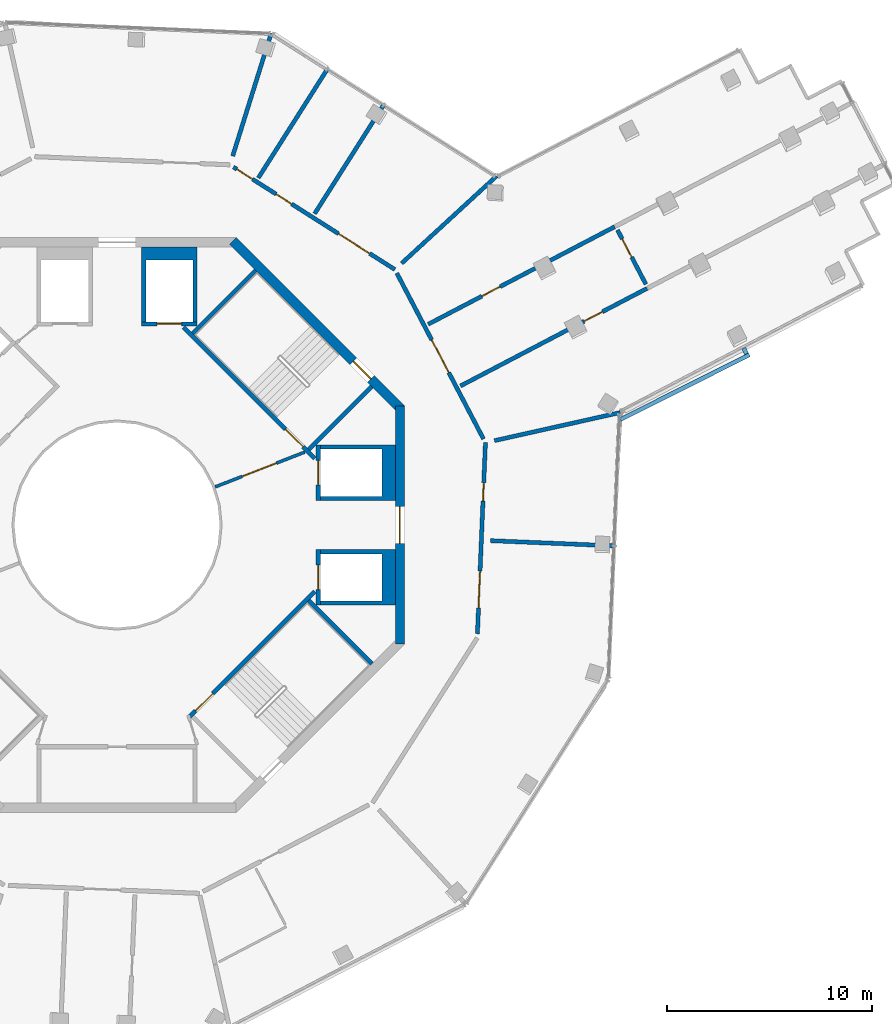
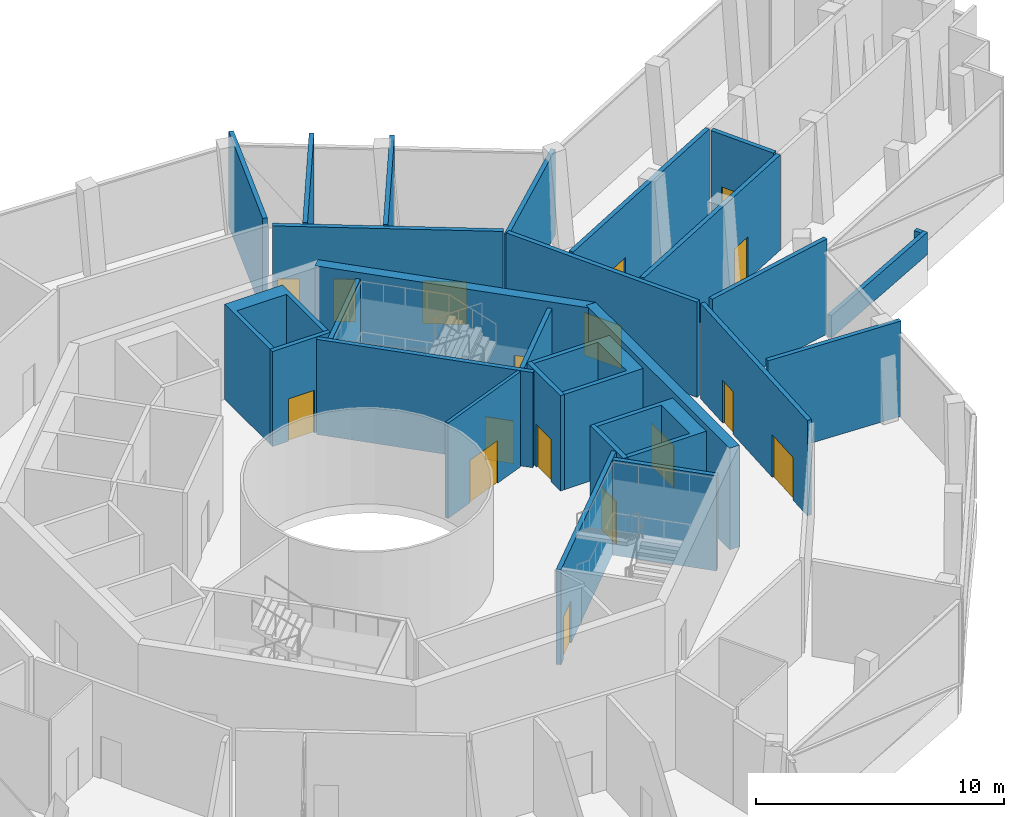
# One storey, part 14 of 21: 28 walls, 17 doors, 17 openings.
"""IFC4 building model written with IfcOpenShell, lengths in metres."""

from ifc_helpers import new_model, si_unit, direction, frame, frame_2d, origin, place, context, subcontext, project, spatial, polyline, rectangle, outline, extrude, material, layer, layer_set, type_object, element, fill, save


model = new_model("IFC4")

# Units and contexts
model_context = context("Model", 3, precision=1e-05, world=origin(), true_north=direction((0.0, 1.0)))
body_context = subcontext(model_context, "Body", "Model", "MODEL_VIEW")
ifc_project = project(units=[si_unit("LENGTHUNIT", "METRE"), si_unit("AREAUNIT", "SQUARE_METRE"), si_unit("VOLUMEUNIT", "CUBIC_METRE"), si_unit("PLANEANGLEUNIT", "RADIAN"), si_unit("MASSUNIT", "GRAM", prefix="KILO")], contexts=[model_context])

# Site, building, storey
site_placement = place(None, origin())
site = spatial("IfcSite", under=ifc_project, at=site_placement, CompositionType="ELEMENT")
building_placement = place(site_placement, origin())
building = spatial("IfcBuilding", under=site, at=building_placement, Name="Verdalira Terraces Hotel", CompositionType="ELEMENT")
storey_placement = place(building_placement, frame((0.0, 0.0, 269.0)))
storey = spatial("IfcBuildingStorey", under=building, at=storey_placement, Name="L66", CompositionType="ELEMENT", Elevation=269.0)

# Wall
ifc_material_1 = material(Name="Concrete C50", Category="concrete")
ifc_layer_1 = layer(ifc_material_1, 0.199951171875)
ifc_layer_set_1 = layer_set([ifc_layer_1], Name="Core RC wall 200 C50")
wall_type_1 = type_object("IfcWallType", Name="Core RC wall 200 C50", PredefinedType="SOLIDWALL", material=ifc_layer_set_1)
wall_1_placement = place(storey_placement, origin())
element("IfcWall", 1, at=wall_1_placement, inside=storey, type_object=wall_type_1, Name="L66 shaft wall E1", PredefinedType="SOLIDWALL", context=body_context, shape_type="SweptSolid", body=[
    extrude(outline(polyline([(13.550049, -3.899902), (9.899902, -3.899902), (9.899902, -3.699951), (12.899902, -3.699951), (12.899902, -1.399902), (9.899902, -1.399902), (9.899902, -1.199951), (13.550049, -1.199951), (13.550049, -3.899902)])), origin(), (0.0, 0.0, 1.0), 4.689941),
])

# Wall, opening, door
wall_2_placement = place(storey_placement, frame((9.800049, -1.199951, 0.0), z_axis=(0.0, 0.0, 1.0), x_axis=(0.0, -1.0, 0.0)))
wall_2 = element("IfcWall", 2, at=wall_2_placement, inside=storey, type_object=wall_type_1, Name="L66 shaft front wall E1", PredefinedType="SOLIDWALL", context=body_context, shape_type="SweptSolid", body=[
    extrude(rectangle(XDim=2.699951, YDim=0.199951, at=frame_2d((1.350098, 0.0))), origin(), (0.0, 0.0, 1.0), 4.689941),
])
opening_1_placement = place(wall_2_placement, frame((0.75, 0.0, 0.0)))
opening_1 = element("IfcOpeningElement", 3, at=opening_1_placement, cuts=wall_2, Name="Opening LD-L66-802", PredefinedType="OPENING", context=body_context, shape_type="SweptSolid", body=[
    extrude(rectangle(XDim=1.199951, YDim=2.100098, at=frame_2d((0.600098, 1.050049))), frame((0.0, 0.109863, 0.0), z_axis=(0.0, -1.0, 0.0), x_axis=(1.0, 0.0, 0.0)), (0.0, 0.0, 1.0), 0.219971),
])
ifc_material_2 = material(Name="Stainless steel", Category="steel")
door_type_1 = type_object("IfcDoorType", Name="Landing door 1200 x 2100", OperationType="NOTDEFINED", PredefinedType="DOOR", material=ifc_material_2)
door_1_placement = place(opening_1_placement, origin())
door_1 = element("IfcDoor", 4, at=door_1_placement, inside=storey, type_object=door_type_1, Name="Lift landing door HR1 L66", OperationType="DOUBLE_DOOR_SLIDING", OverallHeight=2.10009765625, OverallWidth=1.199951171875, PredefinedType="DOOR", context=body_context, shape_type="SweptSolid", body=[
    extrude(rectangle(XDim=1.199951, YDim=2.100098, at=frame_2d((0.600098, 1.050049))), frame((0.0, 0.024902, 0.0), z_axis=(0.0, -1.0, 0.0), x_axis=(1.0, 0.0, 0.0)), (0.0, 0.0, 1.0), 0.050049),
])
fill(opening_1, door_1)

# Wall
wall_3_placement = place(storey_placement, origin())
element("IfcWall", 5, at=wall_3_placement, inside=storey, type_object=wall_type_1, Name="L66 shaft wall E2", PredefinedType="SOLIDWALL", context=body_context, shape_type="SweptSolid", body=[
    extrude(outline(polyline([(13.550049, 3.899902), (13.550049, 1.199951), (9.899902, 1.199951), (9.899902, 1.399902), (12.899902, 1.399902), (12.899902, 3.699951), (9.899902, 3.699951), (9.899902, 3.899902), (13.550049, 3.899902)])), origin(), (0.0, 0.0, 1.0), 4.689941),
])

# Wall, opening, door
wall_4_placement = place(storey_placement, frame((9.800049, 1.199951, 0.0), z_axis=(0.0, 0.0, 1.0), x_axis=(0.0, 1.0, 0.0)))
wall_4 = element("IfcWall", 6, at=wall_4_placement, inside=storey, type_object=wall_type_1, Name="L66 shaft front wall E2", PredefinedType="SOLIDWALL", context=body_context, shape_type="SweptSolid", body=[
    extrude(rectangle(XDim=2.699951, YDim=0.199951, at=frame_2d((1.350098, 0.0))), origin(), (0.0, 0.0, 1.0), 4.689941),
])
opening_2_placement = place(wall_4_placement, frame((0.75, 0.0, 0.0)))
opening_2 = element("IfcOpeningElement", 7, at=opening_2_placement, cuts=wall_4, Name="Opening LD-L66-803", PredefinedType="OPENING", context=body_context, shape_type="SweptSolid", body=[
    extrude(rectangle(XDim=1.199951, YDim=2.100098, at=frame_2d((0.600098, 1.050049))), frame((0.0, 0.109863, 0.0), z_axis=(0.0, -1.0, 0.0), x_axis=(1.0, 0.0, 0.0)), (0.0, 0.0, 1.0), 0.219971),
])
door_2_placement = place(opening_2_placement, origin())
door_2 = element("IfcDoor", 8, at=door_2_placement, inside=storey, type_object=door_type_1, Name="Lift landing door HR2 L66", OperationType="DOUBLE_DOOR_SLIDING", OverallHeight=2.10009765625, OverallWidth=1.199951171875, PredefinedType="DOOR", context=body_context, shape_type="SweptSolid", body=[
    extrude(rectangle(XDim=1.199951, YDim=2.100098, at=frame_2d((0.600098, 1.050049))), frame((0.0, 0.024902, 0.0), z_axis=(0.0, -1.0, 0.0), x_axis=(1.0, 0.0, 0.0)), (0.0, 0.0, 1.0), 0.050049),
])
fill(opening_2, door_2)

# Wall
wall_5_placement = place(storey_placement, origin())
element("IfcWall", 9, at=wall_5_placement, inside=storey, type_object=wall_type_1, Name="L66 shaft wall N1", PredefinedType="SOLIDWALL", context=body_context, shape_type="SweptSolid", body=[
    extrude(outline(polyline([(3.899902, 9.899902), (3.699951, 9.899902), (3.699951, 12.899902), (1.399902, 12.899902), (1.399902, 9.899902), (1.199951, 9.899902), (1.199951, 13.550049), (3.899902, 13.550049), (3.899902, 9.899902)])), origin(), (0.0, 0.0, 1.0), 4.689941),
])

# Wall, opening, door
wall_6_placement = place(storey_placement, frame((1.199951, 9.800049, 0.0), z_axis=(0.0, 0.0, 1.0), x_axis=(1.0, 0.0, 0.0)))
wall_6 = element("IfcWall", 10, at=wall_6_placement, inside=storey, type_object=wall_type_1, Name="L66 shaft front wall N1", PredefinedType="SOLIDWALL", context=body_context, shape_type="SweptSolid", body=[
    extrude(rectangle(XDim=2.699951, YDim=0.199951, at=frame_2d((1.350098, 0.0))), origin(), (0.0, 0.0, 1.0), 4.689941),
])
opening_3_placement = place(wall_6_placement, frame((0.75, 0.0, 0.0)))
opening_3 = element("IfcOpeningElement", 11, at=opening_3_placement, cuts=wall_6, Name="Opening LD-L66-804", PredefinedType="OPENING", context=body_context, shape_type="SweptSolid", body=[
    extrude(rectangle(XDim=1.199951, YDim=2.100098, at=frame_2d((0.600098, 1.050049))), frame((0.0, 0.109863, 0.0), z_axis=(0.0, -1.0, 0.0), x_axis=(1.0, 0.0, 0.0)), (0.0, 0.0, 1.0), 0.219971),
])
door_3_placement = place(opening_3_placement, origin())
door_3 = element("IfcDoor", 12, at=door_3_placement, inside=storey, type_object=door_type_1, Name="Lift landing door HR3 L66", OperationType="DOUBLE_DOOR_SLIDING", OverallHeight=2.10009765625, OverallWidth=1.199951171875, PredefinedType="DOOR", context=body_context, shape_type="SweptSolid", body=[
    extrude(rectangle(XDim=1.199951, YDim=2.100098, at=frame_2d((0.600098, 1.050049))), frame((0.0, 0.024902, 0.0), z_axis=(0.0, -1.0, 0.0), x_axis=(1.0, 0.0, 0.0)), (0.0, 0.0, 1.0), 0.050049),
])
fill(opening_3, door_3)

wall_7_placement = place(storey_placement, frame((3.23999, 9.629395, 0.0), z_axis=(0.0, 0.0, 1.0), x_axis=(0.707106781, -0.707106781, 0.0)))
wall_7 = element("IfcWall", 13, at=wall_7_placement, inside=storey, type_object=wall_type_1, Name="L66 stair ST1 front wall", PredefinedType="SOLIDWALL", context=body_context, shape_type="SweptSolid", body=[
    extrude(rectangle(XDim=9.035889, YDim=0.199951, at=frame_2d((4.518066, 0.0))), origin(), (0.0, 0.0, 1.0), 4.689941),
])
opening_4_placement = place(wall_7_placement, frame((7.017822, 0.0, 0.0)))
opening_4 = element("IfcOpeningElement", 14, at=opening_4_placement, cuts=wall_7, Name="Opening L66-810", PredefinedType="OPENING", context=body_context, shape_type="SweptSolid", body=[
    extrude(rectangle(XDim=1.199951, YDim=2.100098, at=frame_2d((0.600098, 1.050049))), frame((0.0, 0.109863, 0.0), z_axis=(0.0, -1.0, 0.0), x_axis=(1.0, 0.0, 0.0)), (0.0, 0.0, 1.0), 0.219971),
])
ifc_material_3 = material(Name="Steel fire door", Category="steel")
door_type_2 = type_object("IfcDoorType", Name="Stair door 1200 x 2100", OperationType="NOTDEFINED", PredefinedType="DOOR", material=ifc_material_3)
door_4_placement = place(opening_4_placement, origin())
door_4 = element("IfcDoor", 15, at=door_4_placement, inside=storey, type_object=door_type_2, Name="Stair door ST1 L66", OperationType="SINGLE_SWING_RIGHT", OverallHeight=2.10009765625, OverallWidth=1.199951171875, PredefinedType="DOOR", context=body_context, shape_type="SweptSolid", body=[
    extrude(rectangle(XDim=1.199951, YDim=2.100098, at=frame_2d((0.600098, 1.050049))), frame((0.0, 0.024902, 0.0), z_axis=(0.0, -1.0, 0.0), x_axis=(1.0, 0.0, 0.0)), (0.0, 0.0, 1.0), 0.050049),
])
fill(opening_4, door_4)

# Walls
for number, where, z_axis, x_axis, name in (
    (16, (9.33374, 3.677002, 0.0), (0.0, 0.0, 1.0), (0.707106781, 0.707106781, 0.0), "L66 stair ST1 end wall 1"),
    (17, (3.677002, 9.33374, 0.0), (0.0, 0.0, 1.0), (0.707106781, 0.707106781, 0.0), "L66 stair ST1 end wall 2"),
):
    element("IfcWall", number, at=place(storey_placement, frame(where, z_axis=z_axis, x_axis=x_axis)), inside=storey, type_object=wall_type_1, Name=name, PredefinedType="SOLIDWALL", context=body_context, shape_type="SweptSolid", body=[
        extrude(rectangle(XDim=4.350098, YDim=0.199951, at=frame_2d((2.175049, 0.0))), origin(), (0.0, 0.0, 1.0), 4.689941),
    ])

# Wall, opening, door
wall_8_placement = place(storey_placement, frame((9.629395, -3.23999, 0.0), z_axis=(0.0, 0.0, 1.0), x_axis=(-0.707120946, -0.707092617, 0.0)))
wall_8 = element("IfcWall", 18, at=wall_8_placement, inside=storey, type_object=wall_type_1, Name="L66 stair ST3 front wall", PredefinedType="SOLIDWALL", context=body_context, shape_type="SweptSolid", body=[
    extrude(rectangle(XDim=8.61792, YDim=0.199951, at=frame_2d((4.309082, 0.0))), origin(), (0.0, 0.0, 1.0), 4.689941),
])
opening_5_placement = place(wall_8_placement, frame((7.017822, 0.0, 0.0)))
opening_5 = element("IfcOpeningElement", 19, at=opening_5_placement, cuts=wall_8, Name="Opening L66-812", PredefinedType="OPENING", context=body_context, shape_type="SweptSolid", body=[
    extrude(rectangle(XDim=1.199951, YDim=2.100098, at=frame_2d((0.600098, 1.050049))), frame((0.0, 0.109863, 0.0), z_axis=(0.0, -1.0, 0.0), x_axis=(1.0, 0.0, 0.0)), (0.0, 0.0, 1.0), 0.219971),
])
door_5_placement = place(opening_5_placement, origin())
door_5 = element("IfcDoor", 20, at=door_5_placement, inside=storey, type_object=door_type_2, Name="Stair door ST3 L66", OperationType="SINGLE_SWING_RIGHT", OverallHeight=2.10009765625, OverallWidth=1.199951171875, PredefinedType="DOOR", context=body_context, shape_type="SweptSolid", body=[
    extrude(rectangle(XDim=1.199951, YDim=2.100098, at=frame_2d((0.600098, 1.050049))), frame((0.0, 0.024902, 0.0), z_axis=(0.0, -1.0, 0.0), x_axis=(1.0, 0.0, 0.0)), (0.0, 0.0, 1.0), 0.050049),
])
fill(opening_5, door_5)

# Wall
wall_9_placement = place(storey_placement, frame((9.33374, -3.677002, 0.0), z_axis=(0.0, 0.0, 1.0), x_axis=(0.707106781, -0.707106781, 0.0)))
element("IfcWall", 21, at=wall_9_placement, inside=storey, type_object=wall_type_1, Name="L66 stair ST3 end wall 2", PredefinedType="SOLIDWALL", context=body_context, shape_type="SweptSolid", body=[
    extrude(rectangle(XDim=4.350098, YDim=0.199951, at=frame_2d((2.175049, 0.0))), origin(), (0.0, 0.0, 1.0), 4.689941),
])

# Wall, opening, door
ifc_material_4 = material(Name="Gypsum board partition")
ifc_layer_2 = layer(ifc_material_4, 0.14990234375)
ifc_layer_set_2 = layer_set([ifc_layer_2], Name="Core partition 150 mm")
wall_type_2 = type_object("IfcWallType", Name="Core partition 150 mm", PredefinedType="PARTITIONING", material=ifc_layer_set_2)
wall_10_placement = place(storey_placement, frame((4.781982, 1.857178, 0.0), z_axis=(0.0, 0.0, 1.0), x_axis=(0.932167228, 0.36202798, 0.0)))
wall_10 = element("IfcWall", 22, at=wall_10_placement, inside=storey, type_object=wall_type_2, Name="Gallery fire partition L66", PredefinedType="PARTITIONING", context=body_context, shape_type="SweptSolid", body=[
    extrude(rectangle(XDim=4.676025, YDim=0.149902, at=frame_2d((2.337891, 0.0))), origin(), (0.0, 0.0, 1.0), 4.689941),
])
opening_6_placement = place(wall_10_placement, frame((1.399902, 0.0, 0.0)))
opening_6 = element("IfcOpeningElement", 23, at=opening_6_placement, cuts=wall_10, Name="Opening L66-824", PredefinedType="OPENING", context=body_context, shape_type="SweptSolid", body=[
    extrude(rectangle(XDim=1.800049, YDim=2.100098, at=frame_2d((0.899902, 1.050049))), frame((0.0, 0.084961, 0.0), z_axis=(0.0, -1.0, 0.0), x_axis=(1.0, 0.0, 0.0)), (0.0, 0.0, 1.0), 0.169922),
])
ifc_material_5 = material(Name="Steel fire door", Category="steel")
door_type_3 = type_object("IfcDoorType", Name="Gallery fire door pair 1800 x 2100", OperationType="NOTDEFINED", PredefinedType="DOOR", material=ifc_material_5)
door_6_placement = place(opening_6_placement, origin())
door_6 = element("IfcDoor", 24, at=door_6_placement, inside=storey, type_object=door_type_3, Name="Door L66 split0", OperationType="DOUBLE_DOOR_SINGLE_SWING", OverallHeight=2.10009765625, OverallWidth=1.800048828125, PredefinedType="DOOR", context=body_context, shape_type="SweptSolid", body=[
    extrude(rectangle(XDim=1.800049, YDim=2.100098, at=frame_2d((0.899902, 1.050049))), frame((0.0, 0.024902, 0.0), z_axis=(0.0, -1.0, 0.0), x_axis=(1.0, 0.0, 0.0)), (0.0, 0.0, 1.0), 0.050049),
])
fill(opening_6, door_6)

ifc_material_6 = material(Name="Concrete C50", Category="concrete")
ifc_layer_3 = layer(ifc_material_6, 0.449951171875)
ifc_layer_set_3 = layer_set([ifc_layer_3], Name="Core wall 450 C50")
wall_type_3 = type_object("IfcWallType", Name="Core wall 450 C50", PredefinedType="SHEAR", material=ifc_layer_set_3)
wall_11_placement = place(storey_placement, frame((13.774902, -5.799072, 0.0), z_axis=(0.0, 0.0, 1.0), x_axis=(0.0, 1.0, 0.0)))
wall_11 = element("IfcWall", 25, at=wall_11_placement, inside=storey, type_object=wall_type_3, Name="Core wall CW-L66-1", PredefinedType="SHEAR", context=body_context, shape_type="SweptSolid", body=[
    extrude(rectangle(XDim=11.598145, YDim=0.449951, at=frame_2d((5.799072, 0.0))), origin(), (0.0, 0.0, 1.0), 5.0),
])
opening_7_placement = place(wall_11_placement, frame((4.898926, 0.0, 0.0)))
opening_7 = element("IfcOpeningElement", 26, at=opening_7_placement, cuts=wall_11, Name="Opening L66-813", PredefinedType="OPENING", context=body_context, shape_type="SweptSolid", body=[
    extrude(rectangle(XDim=1.800049, YDim=2.100098, at=frame_2d((0.899902, 1.050049))), frame((0.0, 0.234863, 0.0), z_axis=(0.0, -1.0, 0.0), x_axis=(1.0, 0.0, 0.0)), (0.0, 0.0, 1.0), 0.469971),
])
ifc_material_7 = material(Name="Steel fire door", Category="steel")
door_type_4 = type_object("IfcDoorType", Name="Core entry door pair 1800 x 2100", OperationType="NOTDEFINED", PredefinedType="DOOR", material=ifc_material_7)
door_7_placement = place(opening_7_placement, origin())
door_7 = element("IfcDoor", 27, at=door_7_placement, inside=storey, type_object=door_type_4, Name="Core entry door L66 0", OperationType="DOUBLE_DOOR_SINGLE_SWING", OverallHeight=2.10009765625, OverallWidth=1.800048828125, PredefinedType="DOOR", context=body_context, shape_type="SweptSolid", body=[
    extrude(rectangle(XDim=1.800049, YDim=2.100098, at=frame_2d((0.899902, 1.050049))), frame((0.0, 0.024902, 0.0), z_axis=(0.0, -1.0, 0.0), x_axis=(1.0, 0.0, 0.0)), (0.0, 0.0, 1.0), 0.050049),
])
fill(opening_7, door_7)

wall_12_placement = place(storey_placement, frame((13.84082, 5.639893, 0.0), z_axis=(0.0, 0.0, 1.0), x_axis=(-0.707106781, 0.707106781, 0.0)))
wall_12 = element("IfcWall", 28, at=wall_12_placement, inside=storey, type_object=wall_type_3, Name="Core wall CW-L66-2", PredefinedType="SHEAR", context=body_context, shape_type="SweptSolid", body=[
    extrude(rectangle(XDim=11.5979, YDim=0.449951, at=frame_2d((5.798828, 0.0))), origin(), (0.0, 0.0, 1.0), 5.0),
])
opening_8_placement = place(wall_12_placement, frame((2.099121, 0.0, 0.0)))
opening_8 = element("IfcOpeningElement", 29, at=opening_8_placement, cuts=wall_12, Name="Opening L66-816", PredefinedType="OPENING", context=body_context, shape_type="SweptSolid", body=[
    extrude(rectangle(XDim=1.199951, YDim=2.100098, at=frame_2d((0.600098, 1.050049))), frame((0.0, 0.234863, 0.0), z_axis=(0.0, -1.0, 0.0), x_axis=(1.0, 0.0, 0.0)), (0.0, 0.0, 1.0), 0.469971),
])
door_8_placement = place(opening_8_placement, origin())
door_8 = element("IfcDoor", 30, at=door_8_placement, inside=storey, type_object=door_type_2, Name="Stair exit door ST1 L66", OperationType="SINGLE_SWING_LEFT", OverallHeight=2.10009765625, OverallWidth=1.199951171875, PredefinedType="DOOR", context=body_context, shape_type="SweptSolid", body=[
    extrude(rectangle(XDim=1.199951, YDim=2.100098, at=frame_2d((0.600098, 1.050049))), frame((0.0, 0.024902, 0.0), z_axis=(0.0, -1.0, 0.0), x_axis=(1.0, 0.0, 0.0)), (0.0, 0.0, 1.0), 0.050049),
])
fill(opening_8, door_8)

ifc_material_8 = material(Name="Fire-rated gypsum board wall")
ifc_layer_4 = layer(ifc_material_8, 0.199951171875)
ifc_layer_set_4 = layer_set([ifc_layer_4], Name="Demising wall 200 mm")
wall_type_4 = type_object("IfcWallType", Name="Demising wall 200 mm", PredefinedType="SOLIDWALL", material=ifc_layer_set_4)
wall_13_placement = place(storey_placement, frame((15.152588, 9.777832, 0.0), z_axis=(0.0, 0.0, 1.0), x_axis=(0.886198556, 0.463305643, 0.0)))
wall_13 = element("IfcWall", 31, at=wall_13_placement, inside=storey, type_object=wall_type_4, Name="Demising wall", PredefinedType="SOLIDWALL", context=body_context, shape_type="SweptSolid", body=[
    extrude(rectangle(XDim=10.251953, YDim=0.199951, at=frame_2d((5.125977, 0.0))), origin(), (0.0, 0.0, 1.0), 4.689941),
])
opening_9_placement = place(wall_13_placement, frame((2.949951, 0.0, 0.0)))
opening_9 = element("IfcOpeningElement", 32, at=opening_9_placement, cuts=wall_13, Name="Opening L66-120", PredefinedType="OPENING", context=body_context, shape_type="SweptSolid", body=[
    extrude(rectangle(XDim=1.0, YDim=2.100098, at=frame_2d((0.5, 1.050049))), frame((0.0, 0.109863, 0.0), z_axis=(0.0, -1.0, 0.0), x_axis=(1.0, 0.0, 0.0)), (0.0, 0.0, 1.0), 0.219971),
])
ifc_material_9 = material(Name="Timber fire door", Category="wood")
door_type_5 = type_object("IfcDoorType", Name="Public room door 1000 x 2100", OperationType="NOTDEFINED", PredefinedType="DOOR", material=ifc_material_9)
door_9_placement = place(opening_9_placement, origin())
door_9 = element("IfcDoor", 33, at=door_9_placement, inside=storey, type_object=door_type_5, Name="Public room door 6609", OperationType="SINGLE_SWING_LEFT", OverallHeight=2.10009765625, OverallWidth=1.0, PredefinedType="DOOR", context=body_context, shape_type="SweptSolid", body=[
    extrude(rectangle(XDim=1.0, YDim=2.100098, at=frame_2d((0.5, 1.050049))), frame((0.0, 0.024902, 0.0), z_axis=(0.0, -1.0, 0.0), x_axis=(1.0, 0.0, 0.0)), (0.0, 0.0, 1.0), 0.050049),
])
fill(opening_9, door_9)

wall_14_placement = place(storey_placement, frame((25.809082, 11.522217, 0.0), z_axis=(0.0, 0.0, 1.0), x_axis=(-0.886198556, -0.463305643, 0.0)))
wall_14 = element("IfcWall", 34, at=wall_14_placement, inside=storey, type_object=wall_type_4, Name="Demising wall", PredefinedType="SOLIDWALL", context=body_context, shape_type="SweptSolid", body=[
    extrude(rectangle(XDim=10.251953, YDim=0.199951, at=frame_2d((5.125977, 0.0))), origin(), (0.0, 0.0, 1.0), 4.689941),
])
opening_10_placement = place(wall_14_placement, frame((2.449951, 0.0, 0.0)))
opening_10 = element("IfcOpeningElement", 35, at=opening_10_placement, cuts=wall_14, Name="Opening L66-119", PredefinedType="OPENING", context=body_context, shape_type="SweptSolid", body=[
    extrude(rectangle(XDim=1.0, YDim=2.100098, at=frame_2d((0.5, 1.050049))), frame((0.0, 0.109863, 0.0), z_axis=(0.0, -1.0, 0.0), x_axis=(1.0, 0.0, 0.0)), (0.0, 0.0, 1.0), 0.219971),
])
door_10_placement = place(opening_10_placement, origin())
door_10 = element("IfcDoor", 36, at=door_10_placement, inside=storey, type_object=door_type_5, Name="Public room door 6609", OperationType="SINGLE_SWING_LEFT", OverallHeight=2.10009765625, OverallWidth=1.0, PredefinedType="DOOR", context=body_context, shape_type="SweptSolid", body=[
    extrude(rectangle(XDim=1.0, YDim=2.100098, at=frame_2d((0.5, 1.050049))), frame((0.0, 0.024902, 0.0), z_axis=(0.0, -1.0, 0.0), x_axis=(1.0, 0.0, 0.0)), (0.0, 0.0, 1.0), 0.050049),
])
fill(opening_10, door_10)

wall_15_placement = place(storey_placement, frame((24.373047, 14.372559, 0.0), z_axis=(0.0, 0.0, 1.0), x_axis=(0.463332877, -0.886184318, 0.0)))
wall_15 = element("IfcWall", 37, at=wall_15_placement, inside=storey, type_object=wall_type_4, Name="Demising wall", PredefinedType="SOLIDWALL", context=body_context, shape_type="SweptSolid", body=[
    extrude(rectangle(XDim=2.991455, YDim=0.199951, at=frame_2d((1.495605, 0.0))), origin(), (0.0, 0.0, 1.0), 4.689941),
])
opening_11_placement = place(wall_15_placement, frame((0.5, 0.0, 0.0)))
opening_11 = element("IfcOpeningElement", 38, at=opening_11_placement, cuts=wall_15, Name="Opening L66-121", PredefinedType="OPENING", context=body_context, shape_type="SweptSolid", body=[
    extrude(rectangle(XDim=1.0, YDim=2.100098, at=frame_2d((0.5, 1.050049))), frame((0.0, 0.109863, 0.0), z_axis=(0.0, -1.0, 0.0), x_axis=(1.0, 0.0, 0.0)), (0.0, 0.0, 1.0), 0.219971),
])
door_11_placement = place(opening_11_placement, origin())
door_11 = element("IfcDoor", 39, at=door_11_placement, inside=storey, type_object=door_type_5, Name="Public room door 6609", OperationType="SINGLE_SWING_LEFT", OverallHeight=2.10009765625, OverallWidth=1.0, PredefinedType="DOOR", context=body_context, shape_type="SweptSolid", body=[
    extrude(rectangle(XDim=1.0, YDim=2.100098, at=frame_2d((0.5, 1.050049))), frame((0.0, 0.024902, 0.0), z_axis=(0.0, -1.0, 0.0), x_axis=(1.0, 0.0, 0.0)), (0.0, 0.0, 1.0), 0.050049),
])
fill(opening_11, door_11)

# Wall
ifc_material_10 = material(Name="Fire-rated gypsum board wall")
ifc_layer_5 = layer(ifc_material_10, 0.199951171875)
ifc_layer_set_5 = layer_set([ifc_layer_5], Name="Demising wall 200 mm to beam soffit")
wall_type_5 = type_object("IfcWallType", Name="Demising wall 200 mm to beam soffit", PredefinedType="SOLIDWALL", material=ifc_layer_set_5)
wall_16_placement = place(storey_placement, frame((13.862305, 12.746826, 0.0), z_axis=(0.0, 0.0, 1.0), x_axis=(0.736082037, 0.676892336, 0.0)))
element("IfcWall", 40, at=wall_16_placement, inside=storey, type_object=wall_type_5, Name="Demising wall", PredefinedType="SOLIDWALL", context=body_context, shape_type="SweptSolid", body=[
    extrude(rectangle(XDim=6.281982, YDim=0.199951, at=frame_2d((3.141113, 0.0))), origin(), (0.0, 0.0, 1.0), 4.189941),
])

# Wall, openings, doors
ifc_material_11 = material(Name="Fire-rated gypsum board wall")
ifc_layer_6 = layer(ifc_material_11, 0.199951171875)
ifc_layer_set_6 = layer_set([ifc_layer_6], Name="Guest corridor wall 200 mm")
wall_type_6 = type_object("IfcWallType", Name="Guest corridor wall 200 mm", PredefinedType="SOLIDWALL", material=ifc_layer_set_6)
wall_17_placement = place(storey_placement, frame((5.666748, 17.436279, 0.0), z_axis=(0.0, 0.0, 1.0), x_axis=(0.844321212, -0.535837373, 0.0)))
wall_17 = element("IfcWall", 41, at=wall_17_placement, inside=storey, type_object=wall_type_6, Name="Guest corridor wall", PredefinedType="SOLIDWALL", context=body_context, shape_type="SweptSolid", body=[
    extrude(rectangle(XDim=9.31665, YDim=0.199951, at=frame_2d((4.658203, 0.0))), origin(), (0.0, 0.0, 1.0), 4.689941),
])
opening_12_placement = place(wall_17_placement, frame((6.05835, 0.0, 0.0)))
opening_12 = element("IfcOpeningElement", 42, at=opening_12_placement, cuts=wall_17, Name="Opening L66-122", PredefinedType="OPENING", context=body_context, shape_type="SweptSolid", body=[
    extrude(rectangle(XDim=1.800049, YDim=2.100098, at=frame_2d((0.899902, 1.050049))), frame((0.0, 0.109863, 0.0), z_axis=(0.0, -1.0, 0.0), x_axis=(1.0, 0.0, 0.0)), (0.0, 0.0, 1.0), 0.219971),
])
opening_13_placement = place(wall_17_placement, frame((2.458252, 0.0, 0.0)))
opening_13 = element("IfcOpeningElement", 43, at=opening_13_placement, cuts=wall_17, Name="Opening L66-127", PredefinedType="OPENING", context=body_context, shape_type="SweptSolid", body=[
    extrude(rectangle(XDim=0.899902, YDim=2.100098, at=frame_2d((0.449951, 1.050049))), frame((0.0, 0.109863, 0.0), z_axis=(0.0, -1.0, 0.0), x_axis=(1.0, 0.0, 0.0)), (0.0, 0.0, 1.0), 0.219971),
])
opening_14_placement = place(wall_17_placement, frame((0.199951, 0.0, 0.0)))
opening_14 = element("IfcOpeningElement", 44, at=opening_14_placement, cuts=wall_17, Name="Opening L66-128", PredefinedType="OPENING", context=body_context, shape_type="SweptSolid", body=[
    extrude(rectangle(XDim=0.899902, YDim=2.100098, at=frame_2d((0.449951, 1.050049))), frame((0.0, 0.109863, 0.0), z_axis=(0.0, -1.0, 0.0), x_axis=(1.0, 0.0, 0.0)), (0.0, 0.0, 1.0), 0.219971),
])
ifc_material_12 = material(Name="Timber fire door", Category="wood")
door_type_6 = type_object("IfcDoorType", Name="Public room double door 1800 x 2100", OperationType="NOTDEFINED", PredefinedType="DOOR", material=ifc_material_12)
door_12_placement = place(opening_12_placement, origin())
door_12 = element("IfcDoor", 45, at=door_12_placement, inside=storey, type_object=door_type_6, Name="Public room double door 6610", OperationType="DOUBLE_DOOR_SINGLE_SWING", OverallHeight=2.10009765625, OverallWidth=1.800048828125, PredefinedType="DOOR", context=body_context, shape_type="SweptSolid", body=[
    extrude(rectangle(XDim=1.800049, YDim=2.100098, at=frame_2d((0.899902, 1.050049))), frame((0.0, 0.024902, 0.0), z_axis=(0.0, -1.0, 0.0), x_axis=(1.0, 0.0, 0.0)), (0.0, 0.0, 1.0), 0.050049),
])
fill(opening_12, door_12)
ifc_material_13 = material(Name="Timber fire door", Category="wood")
door_type_7 = type_object("IfcDoorType", Name="Toilet door 900 x 2100", OperationType="NOTDEFINED", PredefinedType="DOOR", material=ifc_material_13)
door_13_placement = place(opening_13_placement, origin())
door_13 = element("IfcDoor", 46, at=door_13_placement, inside=storey, type_object=door_type_7, Name="Toilet door 6615", OperationType="SINGLE_SWING_LEFT", OverallHeight=2.10009765625, OverallWidth=0.89990234375, PredefinedType="DOOR", context=body_context, shape_type="SweptSolid", body=[
    extrude(rectangle(XDim=0.899902, YDim=2.100098, at=frame_2d((0.449951, 1.050049))), frame((0.0, 0.024902, 0.0), z_axis=(0.0, -1.0, 0.0), x_axis=(1.0, 0.0, 0.0)), (0.0, 0.0, 1.0), 0.050049),
])
fill(opening_13, door_13)
door_14_placement = place(opening_14_placement, origin())
door_14 = element("IfcDoor", 47, at=door_14_placement, inside=storey, type_object=door_type_7, Name="Toilet door 6616", OperationType="SINGLE_SWING_LEFT", OverallHeight=2.10009765625, OverallWidth=0.89990234375, PredefinedType="DOOR", context=body_context, shape_type="SweptSolid", body=[
    extrude(rectangle(XDim=0.899902, YDim=2.100098, at=frame_2d((0.449951, 1.050049))), frame((0.0, 0.024902, 0.0), z_axis=(0.0, -1.0, 0.0), x_axis=(1.0, 0.0, 0.0)), (0.0, 0.0, 1.0), 0.050049),
])
fill(opening_14, door_14)

# Wall, opening, door
wall_18_placement = place(storey_placement, frame((13.625488, 12.26709, 0.0), z_axis=(0.0, 0.0, 1.0), x_axis=(0.463304399, -0.886199207, 0.0)))
wall_18 = element("IfcWall", 48, at=wall_18_placement, inside=storey, type_object=wall_type_6, Name="Guest corridor wall", PredefinedType="SOLIDWALL", context=body_context, shape_type="SweptSolid", body=[
    extrude(rectangle(XDim=9.116943, YDim=0.199951, at=frame_2d((4.558594, 0.0))), origin(), (0.0, 0.0, 1.0), 4.689941),
])
opening_15_placement = place(wall_18_placement, frame((3.66333, 0.0, 0.0)))
opening_15 = element("IfcOpeningElement", 49, at=opening_15_placement, cuts=wall_18, Name="Opening L66-118", PredefinedType="OPENING", context=body_context, shape_type="SweptSolid", body=[
    extrude(rectangle(XDim=1.800049, YDim=2.100098, at=frame_2d((0.899902, 1.050049))), frame((0.0, 0.109863, 0.0), z_axis=(0.0, -1.0, 0.0), x_axis=(1.0, 0.0, 0.0)), (0.0, 0.0, 1.0), 0.219971),
])
door_15_placement = place(opening_15_placement, origin())
door_15 = element("IfcDoor", 50, at=door_15_placement, inside=storey, type_object=door_type_6, Name="Public room double door 6609", OperationType="DOUBLE_DOOR_SINGLE_SWING", OverallHeight=2.10009765625, OverallWidth=1.800048828125, PredefinedType="DOOR", context=body_context, shape_type="SweptSolid", body=[
    extrude(rectangle(XDim=1.800049, YDim=2.100098, at=frame_2d((0.899902, 1.050049))), frame((0.0, 0.024902, 0.0), z_axis=(0.0, -1.0, 0.0), x_axis=(1.0, 0.0, 0.0)), (0.0, 0.0, 1.0), 0.050049),
])
fill(opening_15, door_15)

# Wall, openings, doors
wall_19_placement = place(storey_placement, frame((17.941895, 4.010498, 0.0), z_axis=(0.0, 0.0, 1.0), x_axis=(-0.041851823, -0.999123829, 0.0)))
wall_19 = element("IfcWall", 51, at=wall_19_placement, inside=storey, type_object=wall_type_6, Name="Guest corridor wall", PredefinedType="SOLIDWALL", context=body_context, shape_type="SweptSolid", body=[
    extrude(rectangle(XDim=9.315918, YDim=0.199951, at=frame_2d((4.657959, 0.0))), origin(), (0.0, 0.0, 1.0), 4.689941),
])
opening_16_placement = place(wall_19_placement, frame((6.258301, 0.0, 0.0)))
opening_16 = element("IfcOpeningElement", 52, at=opening_16_placement, cuts=wall_19, Name="Opening L66-116", PredefinedType="OPENING", context=body_context, shape_type="SweptSolid", body=[
    extrude(rectangle(XDim=1.800049, YDim=2.100098, at=frame_2d((0.899902, 1.050049))), frame((0.0, 0.109863, 0.0), z_axis=(0.0, -1.0, 0.0), x_axis=(1.0, 0.0, 0.0)), (0.0, 0.0, 1.0), 0.219971),
])
opening_17_placement = place(wall_19_placement, frame((1.949951, 0.0, 0.0)))
opening_17 = element("IfcOpeningElement", 53, at=opening_17_placement, cuts=wall_19, Name="Opening L66-117", PredefinedType="OPENING", context=body_context, shape_type="SweptSolid", body=[
    extrude(rectangle(XDim=0.899902, YDim=2.100098, at=frame_2d((0.449951, 1.050049))), frame((0.0, 0.109863, 0.0), z_axis=(0.0, -1.0, 0.0), x_axis=(1.0, 0.0, 0.0)), (0.0, 0.0, 1.0), 0.219971),
])
door_16_placement = place(opening_16_placement, origin())
door_16 = element("IfcDoor", 54, at=door_16_placement, inside=storey, type_object=door_type_6, Name="Public room double door 6607", OperationType="DOUBLE_DOOR_SINGLE_SWING", OverallHeight=2.10009765625, OverallWidth=1.800048828125, PredefinedType="DOOR", context=body_context, shape_type="SweptSolid", body=[
    extrude(rectangle(XDim=1.800049, YDim=2.100098, at=frame_2d((0.899902, 1.050049))), frame((0.0, 0.024902, 0.0), z_axis=(0.0, -1.0, 0.0), x_axis=(1.0, 0.0, 0.0)), (0.0, 0.0, 1.0), 0.050049),
])
fill(opening_16, door_16)
ifc_material_14 = material(Name="Steel fire door", Category="steel")
door_type_8 = type_object("IfcDoorType", Name="Service room door 900 x 2100", OperationType="NOTDEFINED", PredefinedType="DOOR", material=ifc_material_14)
door_17_placement = place(opening_17_placement, origin())
door_17 = element("IfcDoor", 55, at=door_17_placement, inside=storey, type_object=door_type_8, Name="Service room door 6608", OperationType="SINGLE_SWING_LEFT", OverallHeight=2.10009765625, OverallWidth=0.89990234375, PredefinedType="DOOR", context=body_context, shape_type="SweptSolid", body=[
    extrude(rectangle(XDim=0.899902, YDim=2.100098, at=frame_2d((0.449951, 1.050049))), frame((0.0, 0.024902, 0.0), z_axis=(0.0, -1.0, 0.0), x_axis=(1.0, 0.0, 0.0)), (0.0, 0.0, 1.0), 0.050049),
])
fill(opening_17, door_17)

# Walls
ifc_material_15 = material(Name="Fire-rated gypsum board wall")
ifc_layer_7 = layer(ifc_material_15, 0.199951171875)
ifc_layer_set_7 = layer_set([ifc_layer_7], Name="Service room wall 200 mm")
wall_type_7 = type_object("IfcWallType", Name="Service room wall 200 mm", PredefinedType="SOLIDWALL", material=ifc_layer_set_7)
wall_20_placement = place(storey_placement, frame((7.51001, 23.964844, 0.0), z_axis=(0.0, 0.0, 1.0), x_axis=(-0.299013997, -0.954248725, 0.0)))
element("IfcWall", 56, at=wall_20_placement, inside=storey, type_object=wall_type_7, Name="Service room wall", PredefinedType="SOLIDWALL", context=body_context, shape_type="SweptSolid", body=[
    extrude(rectangle(XDim=6.281982, YDim=0.199951, at=frame_2d((3.141113, 0.0))), origin(), (0.0, 0.0, 1.0), 4.689941),
])
wall_21_placement = place(storey_placement, frame((6.878418, 16.904297, 0.0), z_axis=(0.0, 0.0, 1.0), x_axis=(0.535841972, 0.844318294, 0.0)))
element("IfcWall", 57, at=wall_21_placement, inside=storey, type_object=wall_type_7, Name="Service room wall", PredefinedType="SOLIDWALL", context=body_context, shape_type="SweptSolid", body=[
    extrude(rectangle(XDim=6.299805, YDim=0.199951, at=frame_2d((3.149902, 0.0))), origin(), (0.0, 0.0, 1.0), 4.689941),
])
wall_22_placement = place(storey_placement, frame((9.622803, 15.163086, 0.0), z_axis=(0.0, 0.0, 1.0), x_axis=(0.535831878, 0.8443247, 0.0)))
element("IfcWall", 58, at=wall_22_placement, inside=storey, type_object=wall_type_7, Name="Service room wall", PredefinedType="SOLIDWALL", context=body_context, shape_type="SweptSolid", body=[
    extrude(rectangle(XDim=6.299561, YDim=0.199951, at=frame_2d((3.149902, 0.0))), origin(), (0.0, 0.0, 1.0), 4.689941),
])
wall_23_placement = place(storey_placement, frame((18.189697, -0.762451, 0.0), z_axis=(0.0, 0.0, 1.0), x_axis=(0.999123118, -0.041868785, 0.0)))
element("IfcWall", 59, at=wall_23_placement, inside=storey, type_object=wall_type_7, Name="Service room wall", PredefinedType="SOLIDWALL", context=body_context, shape_type="SweptSolid", body=[
    extrude(rectangle(XDim=6.052734, YDim=0.199951, at=frame_2d((3.026367, 0.0))), origin(), (0.0, 0.0, 1.0), 4.689941),
])
wall_24_placement = place(storey_placement, frame((24.509277, 5.478516, 0.0), z_axis=(0.0, 0.0, 1.0), x_axis=(-0.975918392, -0.218135948, 0.0)))
element("IfcWall", 60, at=wall_24_placement, inside=storey, type_object=wall_type_7, Name="Service room wall", PredefinedType="SOLIDWALL", context=body_context, shape_type="SweptSolid", body=[
    extrude(rectangle(XDim=6.282227, YDim=0.199951, at=frame_2d((3.141113, 0.0))), origin(), (0.0, 0.0, 1.0), 4.689941),
])
ifc_material_16 = material(Name="Terracotta cladding", Category="masonry")
ifc_layer_8 = layer(ifc_material_16, 0.199951171875)
ifc_layer_set_8 = layer_set([ifc_layer_8], Name="Terracotta clad parapet 200")
wall_type_8 = type_object("IfcWallType", Name="Terracotta clad parapet 200", PredefinedType="PARAPET", material=ifc_layer_set_8)
wall_25_placement = place(storey_placement, frame((24.508301, 5.134277, 0.0), z_axis=(0.0, 0.0, 1.0), x_axis=(0.893850331, 0.44836546, 0.0)))
element("IfcWall", 61, at=wall_25_placement, inside=storey, type_object=wall_type_8, Name="Terracotta clad parapet", PredefinedType="PARAPET", context=body_context, shape_type="SweptSolid", body=[
    extrude(rectangle(XDim=7.034668, YDim=0.199951, at=frame_2d((3.517334, 0.0))), origin(), (0.0, 0.0, 1.0), 1.100098),
])
wall_26_placement = place(storey_placement, frame((30.661865, 8.333008, 0.0), z_axis=(0.0, 0.0, 1.0), x_axis=(-0.448129469, 0.893968668, 0.0)))
element("IfcWall", 62, at=wall_26_placement, inside=storey, type_object=wall_type_8, Name="Terracotta clad parapet", PredefinedType="PARAPET", context=body_context, shape_type="SweptSolid", body=[
    extrude(rectangle(XDim=0.319824, YDim=0.199951, at=frame_2d((0.159912, 0.0))), origin(), (0.0, 0.0, 1.0), 1.100098),
])

save(model, "model.ifc")
